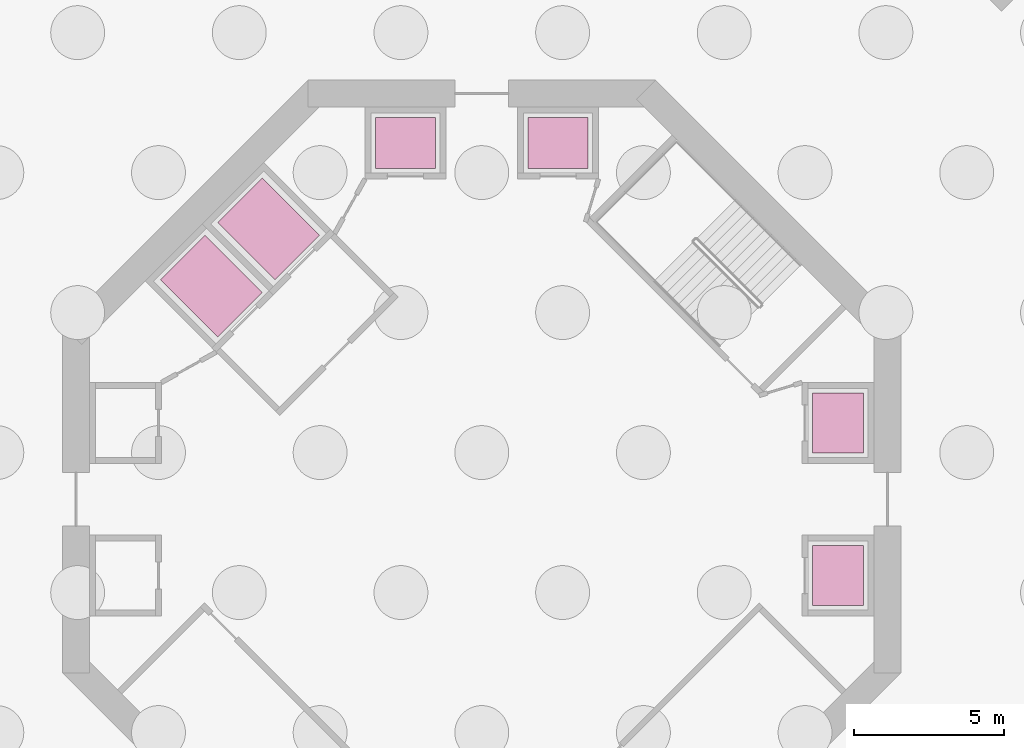
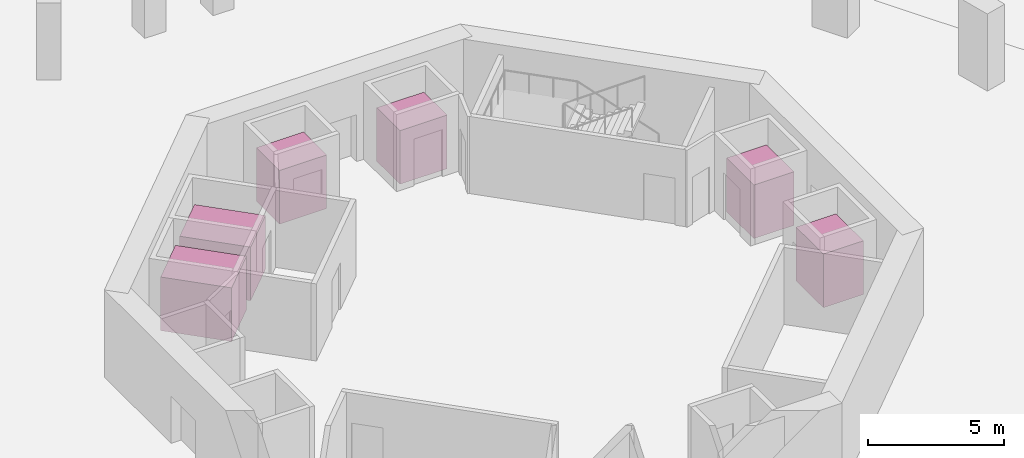
# One storey, part 27 of 27: 6 transport elements.
"""IFC4 building model written with IfcOpenShell, lengths in metres."""

from ifc_helpers import new_model, si_unit, direction, frame, origin, origin_2d, place, context, subcontext, project, spatial, rectangle, extrude, material, type_object, element, save


model = new_model("IFC4")

# Units and contexts
model_context = context("Model", 3, precision=1e-05, world=origin(), true_north=direction((0.0, 1.0)))
body_context = subcontext(model_context, "Body", "Model", "MODEL_VIEW")
ifc_project = project(units=[si_unit("LENGTHUNIT", "METRE"), si_unit("AREAUNIT", "SQUARE_METRE"), si_unit("VOLUMEUNIT", "CUBIC_METRE"), si_unit("PLANEANGLEUNIT", "RADIAN"), si_unit("MASSUNIT", "GRAM", prefix="KILO")], contexts=[model_context])

# Site, building, storey
site_placement = place(None, origin())
site = spatial("IfcSite", under=ifc_project, at=site_placement, CompositionType="ELEMENT")
building_placement = place(site_placement, origin())
building = spatial("IfcBuilding", under=site, at=building_placement, Name="Verdalira Terraces Hotel", CompositionType="ELEMENT")
storey_placement = place(building_placement, frame((0.0, 0.0, -11.699951)))
storey = spatial("IfcBuildingStorey", under=building, at=storey_placement, Name="B3", CompositionType="ELEMENT", Elevation=-11.699951171875)

# Transport elements
ifc_material_1 = material(Name="Stainless steel", Category="steel")
transport_element_type_1 = type_object("IfcTransportElementType", Name="Passenger lift car 2000 x 1700", PredefinedType="ELEVATOR", material=ifc_material_1)
for number, where, z_axis, x_axis, name in (
    (1, (11.899902, -2.550049, 0.0), (0.0, 0.0, 1.0), (0.0, 1.0, 0.0), "Lift LR1"),
    (2, (11.899902, 2.550049, 0.0), (0.0, 0.0, 1.0), (0.0, 1.0, 0.0), "Lift LR2"),
    (3, (2.550049, 11.899902, 0.0), (0.0, 0.0, 1.0), (-1.0, 0.0, 0.0), "Lift LR3"),
    (4, (-2.550049, 11.899902, 0.0), (0.0, 0.0, 1.0), (-1.0, 0.0, 0.0), "Lift LR4"),
):
    element("IfcTransportElement", number, at=place(storey_placement, frame(where, z_axis=z_axis, x_axis=x_axis)), inside=storey, type_object=transport_element_type_1, Name=name, PredefinedType="ELEVATOR", context=body_context, shape_type="SweptSolid", body=[
        extrude(rectangle(XDim=2.0, YDim=1.699951, at=origin_2d()), origin(), (0.0, 0.0, 1.0), 2.399902),
    ])
ifc_material_2 = material(Name="Stainless steel", Category="steel")
transport_element_type_2 = type_object("IfcTransportElementType", Name="Service lift car 2100 x 2700", PredefinedType="ELEVATOR", material=ifc_material_2)
for number, where, z_axis, x_axis, name in (
    (5, (-7.124023, 9.033203, 0.0), (0.0, 0.0, 1.0), (-0.707106781, -0.707106781, 0.0), "Lift LF11"),
    (6, (-9.033203, 7.124023, 0.0), (0.0, 0.0, 1.0), (-0.707106781, -0.707106781, 0.0), "Lift LF12"),
):
    element("IfcTransportElement", number, at=place(storey_placement, frame(where, z_axis=z_axis, x_axis=x_axis)), inside=storey, type_object=transport_element_type_2, Name=name, PredefinedType="ELEVATOR", context=body_context, shape_type="SweptSolid", body=[
        extrude(rectangle(XDim=2.100098, YDim=2.699951, at=origin_2d()), origin(), (0.0, 0.0, 1.0), 2.399902),
    ])

save(model, "model.ifc")
